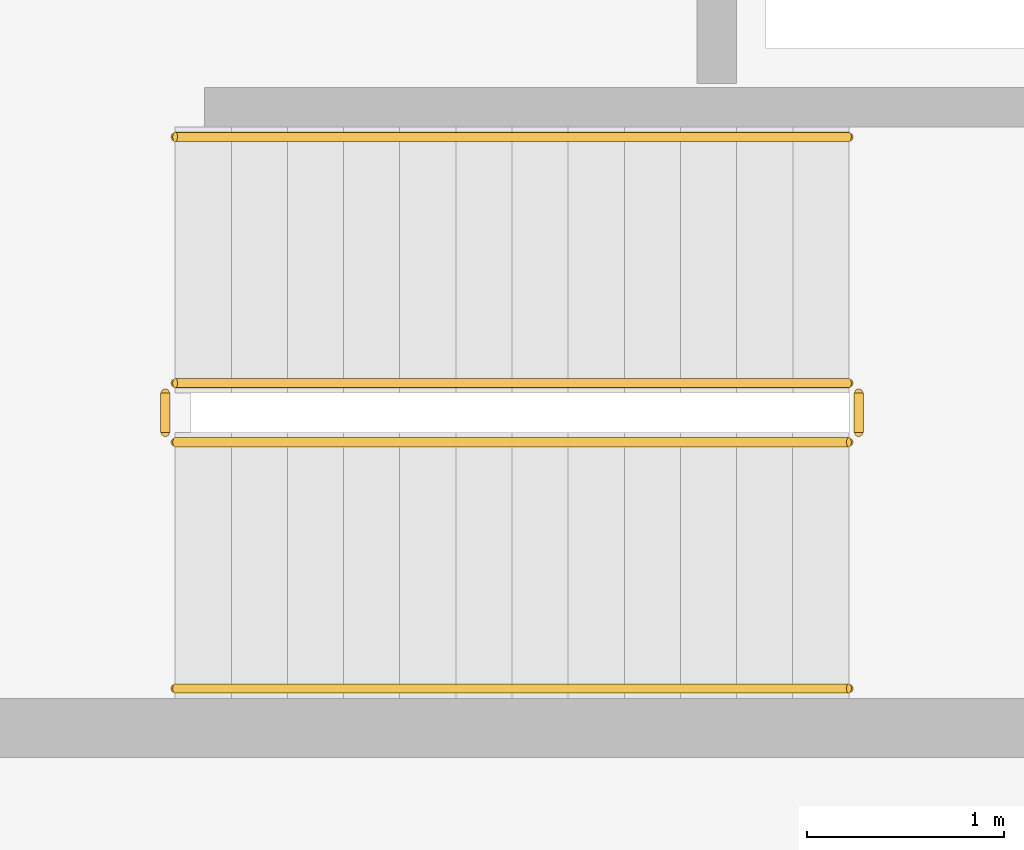
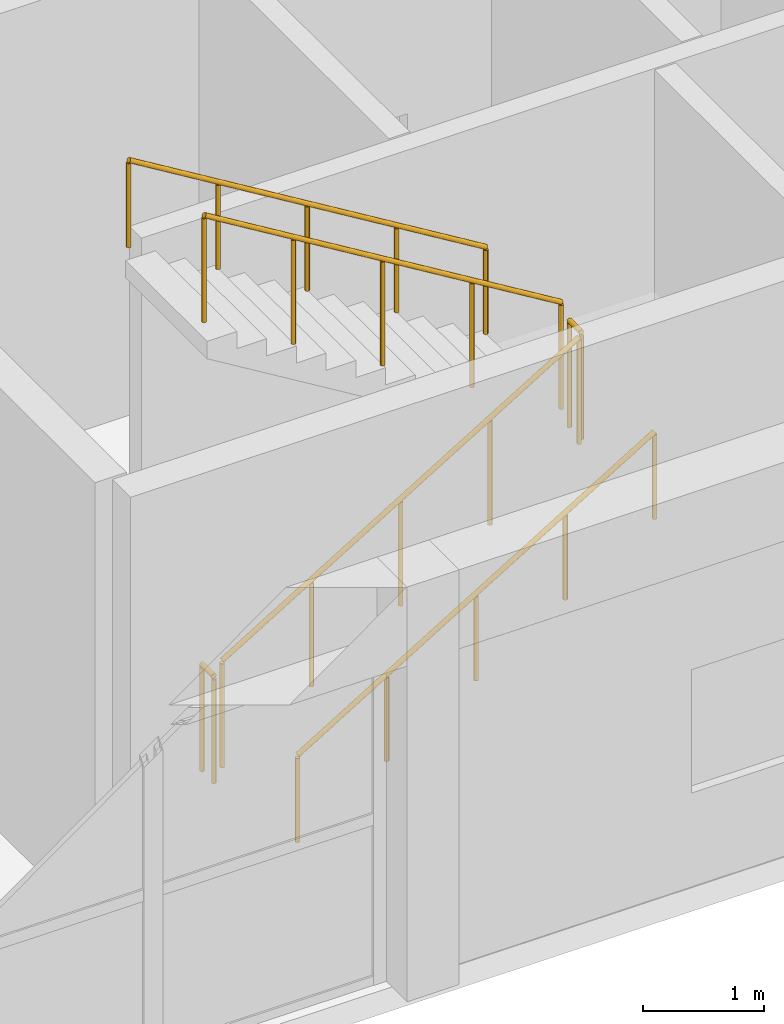
# One storey, part 144 of 153: 6 railings.
"""IFC4 building model written with IfcOpenShell, lengths in metres."""

from ifc_helpers import new_model, si_unit, direction, frame, origin, origin_2d, place, context, subcontext, project, spatial, circle, extrude, material, type_object, element, save


model = new_model("IFC4")

# Units and contexts
model_context = context("Model", 3, precision=1e-05, world=origin(), true_north=direction((0.0, 1.0)))
body_context = subcontext(model_context, "Body", "Model", "MODEL_VIEW")
ifc_project = project(units=[si_unit("LENGTHUNIT", "METRE"), si_unit("AREAUNIT", "SQUARE_METRE"), si_unit("VOLUMEUNIT", "CUBIC_METRE"), si_unit("PLANEANGLEUNIT", "RADIAN"), si_unit("MASSUNIT", "GRAM", prefix="KILO")], contexts=[model_context])

# Site, building, storey
site_placement = place(None, origin())
site = spatial("IfcSite", under=ifc_project, at=site_placement, CompositionType="ELEMENT")
building_placement = place(site_placement, origin())
building = spatial("IfcBuilding", under=site, at=building_placement, Name="Bramvelor Terrace Health Centre", CompositionType="ELEMENT")
storey_placement = place(building_placement, frame((0.0, 0.0, 4.800048828125)))
storey = spatial("IfcBuildingStorey", under=building, at=storey_placement, Name="L02", CompositionType="ELEMENT", Elevation=4.800048828125)

# Railings
ifc_material_1 = material(Name="Painted galvanized steel", Category="steel")
railing_type_1 = type_object("IfcRailingType", Name="RLG-GD-1100", PredefinedType="GUARDRAIL", material=ifc_material_1)
railing_1_placement = place(storey_placement, frame((7.199951171875, 32.050048828125, 0.173095703125)))
element("IfcRailing", 1, at=railing_1_placement, inside=storey, type_object=railing_type_1, Name="L02 ST-3 stair guard 1", PredefinedType="GUARDRAIL", context=body_context, shape_type="SweptSolid", body=[
    extrude(circle(Radius=0.02392578125, at=origin_2d()), frame((0.0, 0.0, 1.076171875), z_axis=(0.854745945586, 0.0, 0.519046595696), x_axis=(0.0, 1.0, 0.0)), (0.0, 0.0, 1.0), 4.00146484375),
    extrude(circle(Radius=0.02099609375, at=origin_2d()), origin(), (0.0, 0.0, 1.0), 1.052001953125),
    extrude(circle(Radius=0.02099609375, at=origin_2d()), frame((0.85498046875, 0.0, 0.519287109375)), (0.0, 0.0, 1.0), 1.052001953125),
    extrude(circle(Radius=0.02099609375, at=origin_2d()), frame((1.7099609375, 0.0, 1.03857421875)), (0.0, 0.0, 1.0), 1.052001953125),
    extrude(circle(Radius=0.02099609375, at=origin_2d()), frame((2.565185546875, 0.0, 1.5576171875)), (0.0, 0.0, 1.0), 1.052001953125),
    extrude(circle(Radius=0.02099609375, at=origin_2d()), frame((3.420166015625, 0.0, 2.076904296875)), (0.0, 0.0, 1.0), 1.052001953125),
])
railing_2_placement = place(storey_placement, frame((10.669921875, 32.10009765625, 2.25)))
element("IfcRailing", 2, at=railing_2_placement, inside=storey, type_object=railing_type_1, Name="L02 ST-3 stair guard 2", PredefinedType="GUARDRAIL", context=body_context, shape_type="SweptSolid", body=[
    extrude(circle(Radius=0.02392578125, at=origin_2d()), frame((0.0, 0.0, 1.076171875), z_axis=(0.0, 1.0, 0.0), x_axis=(-1.0, 0.0, 0.0)), (0.0, 0.0, 1.0), 0.199951171875),
    extrude(circle(Radius=0.02099609375, at=origin_2d()), origin(), (0.0, 0.0, 1.0), 1.052001953125),
    extrude(circle(Radius=0.02099609375, at=origin_2d()), frame((0.0, 0.199951171875, 0.0)), (0.0, 0.0, 1.0), 1.052001953125),
])
railing_3_placement = place(storey_placement, frame((10.6201171875, 32.35009765625, 2.423095703125)))
element("IfcRailing", 3, at=railing_3_placement, inside=storey, type_object=railing_type_1, Name="L02 ST-3 stair guard 3", PredefinedType="GUARDRAIL", context=body_context, shape_type="SweptSolid", body=[
    extrude(circle(Radius=0.02392578125, at=origin_2d()), frame((0.0, 0.0, 1.076171875), z_axis=(-0.854745945586, 0.0, 0.519046595696), x_axis=(0.0, -1.0, 0.0)), (0.0, 0.0, 1.0), 4.00146484375),
    extrude(circle(Radius=0.02099609375, at=origin_2d()), origin(), (0.0, 0.0, 1.0), 1.052001953125),
    extrude(circle(Radius=0.02099609375, at=origin_2d()), frame((-0.85498046875, 0.0, 0.519287109375)), (0.0, 0.0, 1.0), 1.052001953125),
    extrude(circle(Radius=0.02099609375, at=origin_2d()), frame((-1.7099609375, 0.0, 1.03857421875)), (0.0, 0.0, 1.0), 1.052001953125),
    extrude(circle(Radius=0.02099609375, at=origin_2d()), frame((-2.565185546875, 0.0, 1.5576171875)), (0.0, 0.0, 1.0), 1.052001953125),
    extrude(circle(Radius=0.02099609375, at=origin_2d()), frame((-3.420166015625, 0.0, 2.076904296875)), (0.0, 0.0, 1.0), 1.052001953125),
])
railing_4_placement = place(storey_placement, frame((7.14990234375, 32.10009765625, 0.0)))
element("IfcRailing", 4, at=railing_4_placement, inside=storey, type_object=railing_type_1, Name="L02 ST-3 stair guard 4", PredefinedType="GUARDRAIL", context=body_context, shape_type="SweptSolid", body=[
    extrude(circle(Radius=0.02392578125, at=origin_2d()), frame((0.0, 0.0, 1.076171875), z_axis=(0.0, 1.0, 0.0), x_axis=(-1.0, 0.0, 0.0)), (0.0, 0.0, 1.0), 0.199951171875),
    extrude(circle(Radius=0.02099609375, at=origin_2d()), origin(), (0.0, 0.0, 1.0), 1.052001953125),
    extrude(circle(Radius=0.02099609375, at=origin_2d()), frame((0.0, 0.199951171875, 0.0)), (0.0, 0.0, 1.0), 1.052001953125),
])
ifc_material_2 = material(Name="Brushed stainless steel 316", Category="steel")
railing_type_2 = type_object("IfcRailingType", Name="RLG-HR-900", PredefinedType="HANDRAIL", material=ifc_material_2)
railing_5_placement = place(storey_placement, frame((7.199951171875, 30.800048828125, 0.173095703125)))
element("IfcRailing", 5, at=railing_5_placement, inside=storey, type_object=railing_type_2, Name="L02 ST-3 stair handrail 1", PredefinedType="HANDRAIL", context=body_context, shape_type="SweptSolid", body=[
    extrude(circle(Radius=0.02392578125, at=origin_2d()), frame((0.0, 0.0, 0.8759765625), z_axis=(0.854745945586, 0.0, 0.519046595696), x_axis=(0.0, 1.0, 0.0)), (0.0, 0.0, 1.0), 4.00146484375),
    extrude(circle(Radius=0.02099609375, at=origin_2d()), origin(), (0.0, 0.0, 1.0), 0.851806640625),
    extrude(circle(Radius=0.02099609375, at=origin_2d()), frame((0.85498046875, 0.0, 0.519287109375)), (0.0, 0.0, 1.0), 0.851806640625),
    extrude(circle(Radius=0.02099609375, at=origin_2d()), frame((1.7099609375, 0.0, 1.03857421875)), (0.0, 0.0, 1.0), 0.851806640625),
    extrude(circle(Radius=0.02099609375, at=origin_2d()), frame((2.565185546875, 0.0, 1.5576171875)), (0.0, 0.0, 1.0), 0.851806640625),
    extrude(circle(Radius=0.02099609375, at=origin_2d()), frame((3.420166015625, 0.0, 2.076904296875)), (0.0, 0.0, 1.0), 0.851806640625),
])
railing_6_placement = place(storey_placement, frame((10.6201171875, 33.60009765625, 2.423095703125)))
element("IfcRailing", 6, at=railing_6_placement, inside=storey, type_object=railing_type_2, Name="L02 ST-3 stair handrail 2", PredefinedType="HANDRAIL", context=body_context, shape_type="SweptSolid", body=[
    extrude(circle(Radius=0.02392578125, at=origin_2d()), frame((0.0, 0.0, 0.8759765625), z_axis=(-0.854745945586, 0.0, 0.519046595696), x_axis=(0.0, -1.0, 0.0)), (0.0, 0.0, 1.0), 4.00146484375),
    extrude(circle(Radius=0.02099609375, at=origin_2d()), origin(), (0.0, 0.0, 1.0), 0.851806640625),
    extrude(circle(Radius=0.02099609375, at=origin_2d()), frame((-0.85498046875, 0.0, 0.519287109375)), (0.0, 0.0, 1.0), 0.851806640625),
    extrude(circle(Radius=0.02099609375, at=origin_2d()), frame((-1.7099609375, 0.0, 1.03857421875)), (0.0, 0.0, 1.0), 0.851806640625),
    extrude(circle(Radius=0.02099609375, at=origin_2d()), frame((-2.565185546875, 0.0, 1.5576171875)), (0.0, 0.0, 1.0), 0.851806640625),
    extrude(circle(Radius=0.02099609375, at=origin_2d()), frame((-3.420166015625, 0.0, 2.076904296875)), (0.0, 0.0, 1.0), 0.851806640625),
])

save(model, "model.ifc")
